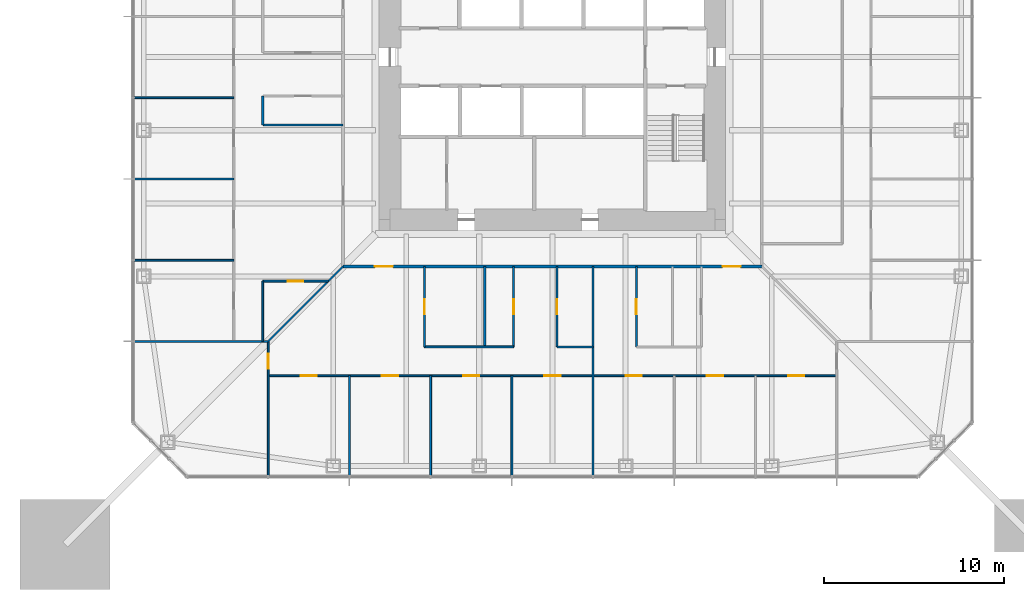
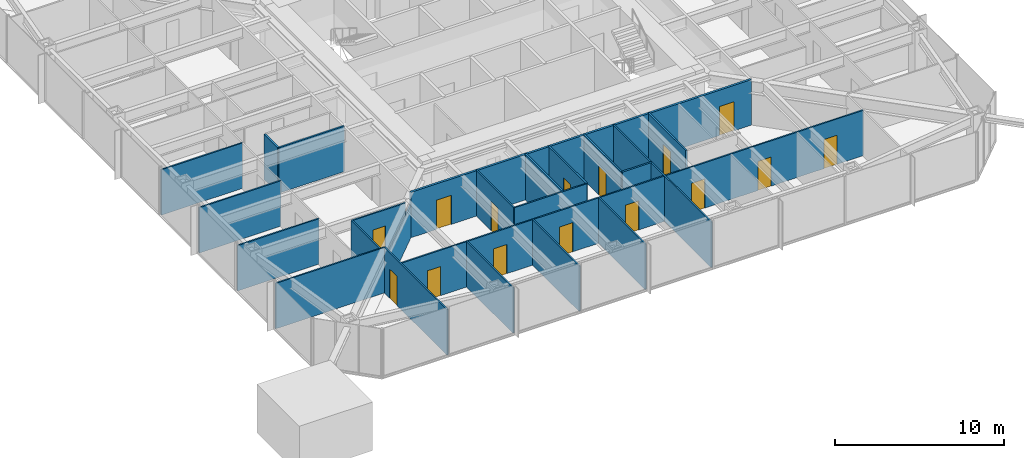
# One storey, part 14 of 26: 23 walls, 15 doors, 15 openings.
"""IFC4 building model written with IfcOpenShell, lengths in metres."""

from ifc_helpers import new_model, si_unit, direction, frame, frame_2d, origin, place, context, subcontext, project, spatial, rectangle, extrude, material, layer, layer_set, type_object, element, fill, save


model = new_model("IFC4")

# Units and contexts
model_context = context("Model", 3, precision=1e-05, world=origin(), true_north=direction((0.0, 1.0)))
body_context = subcontext(model_context, "Body", "Model", "MODEL_VIEW")
ifc_project = project(units=[si_unit("LENGTHUNIT", "METRE"), si_unit("AREAUNIT", "SQUARE_METRE"), si_unit("VOLUMEUNIT", "CUBIC_METRE"), si_unit("PLANEANGLEUNIT", "RADIAN"), si_unit("MASSUNIT", "GRAM", prefix="KILO")], contexts=[model_context])

# Site, building, storey
site_placement = place(None, origin())
site = spatial("IfcSite", under=ifc_project, at=site_placement, CompositionType="ELEMENT")
building_placement = place(site_placement, origin())
building = spatial("IfcBuilding", under=site, at=building_placement, Name="Iwan Alto Co-Living Towers", CompositionType="ELEMENT")
storey_placement = place(building_placement, frame((0.0, 0.0, 57.0)))
storey = spatial("IfcBuildingStorey", under=building, at=storey_placement, Name="L15", CompositionType="ELEMENT", Elevation=57.0)

# Wall, openings, doors
ifc_material_1 = material(Name="Gypsum board")
ifc_layer_1 = layer(ifc_material_1, 0.02490234375, Name="Board", Category="Finish")
ifc_material_2 = material(Name="Steel ASTM A1003 ST33H cold-formed studs", Category="steel")
ifc_layer_2 = layer(ifc_material_2, 0.10009765625, Name="Studs", Category="Framing")
ifc_layer_3 = layer(ifc_material_1, 0.02490234375, Name="Board", Category="Finish")
ifc_layer_set_1 = layer_set([ifc_layer_1, ifc_layer_2, ifc_layer_3], Name="CORRIDOR WALL 150")
wall_type_1 = type_object("IfcWallType", Name="CORRIDOR WALL 150", PredefinedType="PARTITIONING", material=ifc_layer_set_1)
wall_1_placement = place(storey_placement, frame((-11.60009765625, -11.60009765625, 0.0), z_axis=(0.0, 0.0, 1.0), x_axis=(1.0, 0.0, 0.0)))
wall_1 = element("IfcWall", 1, at=wall_1_placement, inside=storey, type_object=wall_type_1, Name="Partition L15", PredefinedType="PARTITIONING", context=body_context, shape_type="SweptSolid", body=[
    extrude(rectangle(XDim=23.2001953125, YDim=0.14990234375, at=frame_2d((11.60009765625, 0.0))), origin(), (0.0, 0.0, 1.0), 3.27001953125),
])
opening_1_placement = place(wall_1_placement, frame((1.7548828125, 0.0, 0.0)))
opening_1 = element("IfcOpeningElement", 2, at=opening_1_placement, cuts=wall_1, Name="Opening D3", PredefinedType="OPENING", context=body_context, shape_type="SweptSolid", body=[
    extrude(rectangle(XDim=1.0, YDim=2.10009765625, at=frame_2d((0.5, 1.050048828125))), frame((0.0, 0.0849609375, 0.0), z_axis=(0.0, -1.0, 0.0), x_axis=(1.0, 0.0, 0.0)), (0.0, 0.0, 1.0), 0.169921875),
])
opening_2_placement = place(wall_1_placement, frame((21.02490234375, 0.0, 0.0)))
opening_2 = element("IfcOpeningElement", 3, at=opening_2_placement, cuts=wall_1, Name="Opening D3", PredefinedType="OPENING", context=body_context, shape_type="SweptSolid", body=[
    extrude(rectangle(XDim=1.0, YDim=2.10009765625, at=frame_2d((0.5, 1.050048828125))), frame((0.0, 0.0849609375, 0.0), z_axis=(0.0, -1.0, 0.0), x_axis=(1.0, 0.0, 0.0)), (0.0, 0.0, 1.0), 0.169921875),
])
ifc_material_3 = material(Name="Steel frame with timber leaf", Category="steel")
door_type_1 = type_object("IfcDoorType", Name="FLAT ENTRANCE DOOR FD30S 1000X2100", OperationType="SINGLE_SWING_LEFT", PredefinedType="DOOR", material=ifc_material_3)
door_1_placement = place(opening_1_placement, frame((1.0, 0.0, 0.0), z_axis=(0.0, 0.0, 1.0), x_axis=(-1.0, 0.0, 0.0)))
door_1 = element("IfcDoor", 4, at=door_1_placement, inside=storey, type_object=door_type_1, Name="Cluster lounge door L15", OperationType="SINGLE_SWING_LEFT", OverallHeight=2.10009765625, OverallWidth=1.0, PredefinedType="DOOR", context=body_context, shape_type="SweptSolid", body=[
    extrude(rectangle(XDim=1.0, YDim=2.10009765625, at=frame_2d((0.5, 1.050048828125))), frame((0.0, 0.02490234375, 0.0), z_axis=(0.0, -1.0, 0.0), x_axis=(1.0, 0.0, 0.0)), (0.0, 0.0, 1.0), 0.050048828125),
])
fill(opening_1, door_1)
door_2_placement = place(opening_2_placement, frame((1.0, 0.0, 0.0), z_axis=(0.0, 0.0, 1.0), x_axis=(-1.0, 0.0, 0.0)))
door_2 = element("IfcDoor", 5, at=door_2_placement, inside=storey, type_object=door_type_1, Name="Cluster lounge door L15", OperationType="SINGLE_SWING_RIGHT", OverallHeight=2.10009765625, OverallWidth=1.0, PredefinedType="DOOR", context=body_context, shape_type="SweptSolid", body=[
    extrude(rectangle(XDim=1.0, YDim=2.10009765625, at=frame_2d((0.5, 1.050048828125))), frame((0.0, 0.02490234375, 0.0), z_axis=(0.0, -1.0, 0.0), x_axis=(1.0, 0.0, 0.0)), (0.0, 0.0, 1.0), 0.050048828125),
])
fill(opening_2, door_2)

ifc_layer_4 = layer(ifc_material_1, 0.012451171875, Name="Board", Category="Finish")
ifc_layer_5 = layer(ifc_material_2, 0.074951171875, Name="Studs", Category="Framing")
ifc_layer_6 = layer(ifc_material_1, 0.012451171875, Name="Board", Category="Finish")
ifc_layer_set_2 = layer_set([ifc_layer_4, ifc_layer_5, ifc_layer_6], Name="PARTITION 100")
wall_type_2 = type_object("IfcWallType", Name="PARTITION 100", PredefinedType="PARTITIONING", material=ifc_layer_set_2)
wall_2_placement = place(storey_placement, frame((-15.75, -17.64990234375, 0.0), z_axis=(0.0, 0.0, 1.0), x_axis=(1.0, 0.0, 0.0)))
wall_2 = element("IfcWall", 6, at=wall_2_placement, inside=storey, type_object=wall_type_2, Name="Partition L15", PredefinedType="PARTITIONING", context=body_context, shape_type="SweptSolid", body=[
    extrude(rectangle(XDim=31.5, YDim=0.10009765625, at=frame_2d((15.75, 0.0))), origin(), (0.0, 0.0, 1.0), 3.27001953125),
])
opening_3_placement = place(wall_2_placement, frame((1.800048828125, 0.0, 0.0)))
opening_3 = element("IfcOpeningElement", 7, at=opening_3_placement, cuts=wall_2, Name="Opening D1", PredefinedType="OPENING", context=body_context, shape_type="SweptSolid", body=[
    extrude(rectangle(XDim=0.89990234375, YDim=2.10009765625, at=frame_2d((0.449951171875, 1.050048828125))), frame((0.0, 0.06005859375, 0.0), z_axis=(0.0, -1.0, 0.0), x_axis=(1.0, 0.0, 0.0)), (0.0, 0.0, 1.0), 0.1201171875),
])
opening_4_placement = place(wall_2_placement, frame((6.300048828125, 0.0, 0.0)))
opening_4 = element("IfcOpeningElement", 8, at=opening_4_placement, cuts=wall_2, Name="Opening D1", PredefinedType="OPENING", context=body_context, shape_type="SweptSolid", body=[
    extrude(rectangle(XDim=0.89990234375, YDim=2.10009765625, at=frame_2d((0.449951171875, 1.050048828125))), frame((0.0, 0.06005859375, 0.0), z_axis=(0.0, -1.0, 0.0), x_axis=(1.0, 0.0, 0.0)), (0.0, 0.0, 1.0), 0.1201171875),
])
opening_5_placement = place(wall_2_placement, frame((10.800048828125, 0.0, 0.0)))
opening_5 = element("IfcOpeningElement", 9, at=opening_5_placement, cuts=wall_2, Name="Opening D1", PredefinedType="OPENING", context=body_context, shape_type="SweptSolid", body=[
    extrude(rectangle(XDim=0.89990234375, YDim=2.10009765625, at=frame_2d((0.449951171875, 1.050048828125))), frame((0.0, 0.06005859375, 0.0), z_axis=(0.0, -1.0, 0.0), x_axis=(1.0, 0.0, 0.0)), (0.0, 0.0, 1.0), 0.1201171875),
])
opening_6_placement = place(wall_2_placement, frame((15.300048828125, 0.0, 0.0)))
opening_6 = element("IfcOpeningElement", 10, at=opening_6_placement, cuts=wall_2, Name="Opening D1", PredefinedType="OPENING", context=body_context, shape_type="SweptSolid", body=[
    extrude(rectangle(XDim=0.89990234375, YDim=2.10009765625, at=frame_2d((0.449951171875, 1.050048828125))), frame((0.0, 0.06005859375, 0.0), z_axis=(0.0, -1.0, 0.0), x_axis=(1.0, 0.0, 0.0)), (0.0, 0.0, 1.0), 0.1201171875),
])
opening_7_placement = place(wall_2_placement, frame((19.800048828125, 0.0, 0.0)))
opening_7 = element("IfcOpeningElement", 11, at=opening_7_placement, cuts=wall_2, Name="Opening D1", PredefinedType="OPENING", context=body_context, shape_type="SweptSolid", body=[
    extrude(rectangle(XDim=0.89990234375, YDim=2.10009765625, at=frame_2d((0.449951171875, 1.050048828125))), frame((0.0, 0.06005859375, 0.0), z_axis=(0.0, -1.0, 0.0), x_axis=(1.0, 0.0, 0.0)), (0.0, 0.0, 1.0), 0.1201171875),
])
opening_8_placement = place(wall_2_placement, frame((24.300048828125, 0.0, 0.0)))
opening_8 = element("IfcOpeningElement", 12, at=opening_8_placement, cuts=wall_2, Name="Opening D1", PredefinedType="OPENING", context=body_context, shape_type="SweptSolid", body=[
    extrude(rectangle(XDim=0.89990234375, YDim=2.10009765625, at=frame_2d((0.449951171875, 1.050048828125))), frame((0.0, 0.06005859375, 0.0), z_axis=(0.0, -1.0, 0.0), x_axis=(1.0, 0.0, 0.0)), (0.0, 0.0, 1.0), 0.1201171875),
])
opening_9_placement = place(wall_2_placement, frame((28.800048828125, 0.0, 0.0)))
opening_9 = element("IfcOpeningElement", 13, at=opening_9_placement, cuts=wall_2, Name="Opening D1", PredefinedType="OPENING", context=body_context, shape_type="SweptSolid", body=[
    extrude(rectangle(XDim=0.89990234375, YDim=2.10009765625, at=frame_2d((0.449951171875, 1.050048828125))), frame((0.0, 0.06005859375, 0.0), z_axis=(0.0, -1.0, 0.0), x_axis=(1.0, 0.0, 0.0)), (0.0, 0.0, 1.0), 0.1201171875),
])
ifc_material_4 = material(Name="Timber leaf in steel frame", Category="steel")
door_type_2 = type_object("IfcDoorType", Name="BEDROOM DOOR 900X2100", OperationType="SINGLE_SWING_LEFT", PredefinedType="DOOR", material=ifc_material_4)
door_3_placement = place(opening_3_placement, origin())
door_3 = element("IfcDoor", 14, at=door_3_placement, inside=storey, type_object=door_type_2, Name="Study bedroom door L15", OperationType="SINGLE_SWING_LEFT", OverallHeight=2.10009765625, OverallWidth=0.89990234375, PredefinedType="DOOR", context=body_context, shape_type="SweptSolid", body=[
    extrude(rectangle(XDim=0.89990234375, YDim=2.10009765625, at=frame_2d((0.449951171875, 1.050048828125))), frame((0.0, 0.02490234375, 0.0), z_axis=(0.0, -1.0, 0.0), x_axis=(1.0, 0.0, 0.0)), (0.0, 0.0, 1.0), 0.050048828125),
])
fill(opening_3, door_3)
door_4_placement = place(opening_4_placement, origin())
door_4 = element("IfcDoor", 15, at=door_4_placement, inside=storey, type_object=door_type_2, Name="Study bedroom door L15", OperationType="SINGLE_SWING_LEFT", OverallHeight=2.10009765625, OverallWidth=0.89990234375, PredefinedType="DOOR", context=body_context, shape_type="SweptSolid", body=[
    extrude(rectangle(XDim=0.89990234375, YDim=2.10009765625, at=frame_2d((0.449951171875, 1.050048828125))), frame((0.0, 0.02490234375, 0.0), z_axis=(0.0, -1.0, 0.0), x_axis=(1.0, 0.0, 0.0)), (0.0, 0.0, 1.0), 0.050048828125),
])
fill(opening_4, door_4)
door_5_placement = place(opening_5_placement, origin())
door_5 = element("IfcDoor", 16, at=door_5_placement, inside=storey, type_object=door_type_2, Name="Study bedroom door L15", OperationType="SINGLE_SWING_RIGHT", OverallHeight=2.10009765625, OverallWidth=0.89990234375, PredefinedType="DOOR", context=body_context, shape_type="SweptSolid", body=[
    extrude(rectangle(XDim=0.89990234375, YDim=2.10009765625, at=frame_2d((0.449951171875, 1.050048828125))), frame((0.0, 0.02490234375, 0.0), z_axis=(0.0, -1.0, 0.0), x_axis=(1.0, 0.0, 0.0)), (0.0, 0.0, 1.0), 0.050048828125),
])
fill(opening_5, door_5)
door_6_placement = place(opening_6_placement, origin())
door_6 = element("IfcDoor", 17, at=door_6_placement, inside=storey, type_object=door_type_2, Name="Study bedroom door L15", OperationType="SINGLE_SWING_RIGHT", OverallHeight=2.10009765625, OverallWidth=0.89990234375, PredefinedType="DOOR", context=body_context, shape_type="SweptSolid", body=[
    extrude(rectangle(XDim=0.89990234375, YDim=2.10009765625, at=frame_2d((0.449951171875, 1.050048828125))), frame((0.0, 0.02490234375, 0.0), z_axis=(0.0, -1.0, 0.0), x_axis=(1.0, 0.0, 0.0)), (0.0, 0.0, 1.0), 0.050048828125),
])
fill(opening_6, door_6)
door_7_placement = place(opening_7_placement, origin())
door_7 = element("IfcDoor", 18, at=door_7_placement, inside=storey, type_object=door_type_2, Name="Study bedroom door L15", OperationType="SINGLE_SWING_LEFT", OverallHeight=2.10009765625, OverallWidth=0.89990234375, PredefinedType="DOOR", context=body_context, shape_type="SweptSolid", body=[
    extrude(rectangle(XDim=0.89990234375, YDim=2.10009765625, at=frame_2d((0.449951171875, 1.050048828125))), frame((0.0, 0.02490234375, 0.0), z_axis=(0.0, -1.0, 0.0), x_axis=(1.0, 0.0, 0.0)), (0.0, 0.0, 1.0), 0.050048828125),
])
fill(opening_7, door_7)
door_8_placement = place(opening_8_placement, origin())
door_8 = element("IfcDoor", 19, at=door_8_placement, inside=storey, type_object=door_type_2, Name="Study bedroom door L15", OperationType="SINGLE_SWING_LEFT", OverallHeight=2.10009765625, OverallWidth=0.89990234375, PredefinedType="DOOR", context=body_context, shape_type="SweptSolid", body=[
    extrude(rectangle(XDim=0.89990234375, YDim=2.10009765625, at=frame_2d((0.449951171875, 1.050048828125))), frame((0.0, 0.02490234375, 0.0), z_axis=(0.0, -1.0, 0.0), x_axis=(1.0, 0.0, 0.0)), (0.0, 0.0, 1.0), 0.050048828125),
])
fill(opening_8, door_8)
door_9_placement = place(opening_9_placement, origin())
door_9 = element("IfcDoor", 20, at=door_9_placement, inside=storey, type_object=door_type_2, Name="Study bedroom door L15", OperationType="SINGLE_SWING_RIGHT", OverallHeight=2.10009765625, OverallWidth=0.89990234375, PredefinedType="DOOR", context=body_context, shape_type="SweptSolid", body=[
    extrude(rectangle(XDim=0.89990234375, YDim=2.10009765625, at=frame_2d((0.449951171875, 1.050048828125))), frame((0.0, 0.02490234375, 0.0), z_axis=(0.0, -1.0, 0.0), x_axis=(1.0, 0.0, 0.0)), (0.0, 0.0, 1.0), 0.050048828125),
])
fill(opening_9, door_9)

# Walls
wall_3_placement = place(storey_placement, frame((-7.090087890625, -16.050048828125, 0.0), z_axis=(0.0, 0.0, 1.0), x_axis=(1.0, 0.0, 0.0)))
element("IfcWall", 21, at=wall_3_placement, inside=storey, type_object=wall_type_2, Name="Partition L15", PredefinedType="PARTITIONING", context=body_context, shape_type="SweptSolid", body=[
    extrude(rectangle(XDim=4.940185546875, YDim=0.10009765625, at=frame_2d((2.47021484375, 0.0))), origin(), (0.0, 0.0, 1.0), 3.27001953125),
])
wall_4_placement = place(storey_placement, frame((-23.18994140625, -15.75, 0.0), z_axis=(0.0, 0.0, 1.0), x_axis=(1.0, 0.0, 0.0)))
element("IfcWall", 22, at=wall_4_placement, inside=storey, type_object=wall_type_2, Name="Partition L15", PredefinedType="PARTITIONING", context=body_context, shape_type="SweptSolid", body=[
    extrude(rectangle(XDim=7.43994140625, YDim=0.10009765625, at=frame_2d((3.719970703125, 0.0))), origin(), (0.0, 0.0, 1.0), 3.27001953125),
])

# Wall, opening, door
wall_5_placement = place(storey_placement, frame((-16.050048828125, -12.409912109375, 0.0), z_axis=(0.0, 0.0, 1.0), x_axis=(1.0, 0.0, 0.0)))
wall_5 = element("IfcWall", 23, at=wall_5_placement, inside=storey, type_object=wall_type_2, Name="Partition L15", PredefinedType="PARTITIONING", context=body_context, shape_type="SweptSolid", body=[
    extrude(rectangle(XDim=3.64013671875, YDim=0.10009765625, at=frame_2d((1.820068359375, 0.0))), origin(), (0.0, 0.0, 1.0), 3.27001953125),
])
opening_10_placement = place(wall_5_placement, frame((1.39501953125, 0.0, 0.0)))
opening_10 = element("IfcOpeningElement", 24, at=opening_10_placement, cuts=wall_5, Name="Opening D2", PredefinedType="OPENING", context=body_context, shape_type="SweptSolid", body=[
    extrude(rectangle(XDim=0.85009765625, YDim=2.10009765625, at=frame_2d((0.425048828125, 1.050048828125))), frame((0.0, 0.06005859375, 0.0), z_axis=(0.0, -1.0, 0.0), x_axis=(1.0, 0.0, 0.0)), (0.0, 0.0, 1.0), 0.1201171875),
])
ifc_material_5 = material(Name="Timber leaf in steel frame", Category="steel")
door_type_3 = type_object("IfcDoorType", Name="ROOM DOOR 850X2100", OperationType="SINGLE_SWING_LEFT", PredefinedType="DOOR", material=ifc_material_5)
door_10_placement = place(opening_10_placement, origin())
door_10 = element("IfcDoor", 25, at=door_10_placement, inside=storey, type_object=door_type_3, Name="Study room door L15", OperationType="SINGLE_SWING_RIGHT", OverallHeight=2.10009765625, OverallWidth=0.85009765625, PredefinedType="DOOR", context=body_context, shape_type="SweptSolid", body=[
    extrude(rectangle(XDim=0.85009765625, YDim=2.10009765625, at=frame_2d((0.425048828125, 1.050048828125))), frame((0.0, 0.02490234375, 0.0), z_axis=(0.0, -1.0, 0.0), x_axis=(1.0, 0.0, 0.0)), (0.0, 0.0, 1.0), 0.050048828125),
])
fill(opening_10, door_10)

# Walls
for number, where, z_axis, x_axis, name in (
    (26, (-23.18994140625, -11.25, 0.0), (0.0, 0.0, 1.0), (1.0, 0.0, 0.0), "Partition L15"),
    (27, (-23.18994140625, -6.75, 0.0), (0.0, 0.0, 1.0), (1.0, 0.0, 0.0), "Partition L15"),
    (28, (-23.18994140625, -2.25, 0.0), (0.0, 0.0, 1.0), (1.0, 0.0, 0.0), "Partition L15"),
):
    element("IfcWall", number, at=place(storey_placement, frame(where, z_axis=z_axis, x_axis=x_axis)), inside=storey, type_object=wall_type_2, Name=name, PredefinedType="PARTITIONING", context=body_context, shape_type="SweptSolid", body=[
        extrude(rectangle(XDim=5.5400390625, YDim=0.10009765625, at=frame_2d((2.77001953125, 0.0))), origin(), (0.0, 0.0, 1.0), 3.27001953125),
    ])
wall_6_placement = place(storey_placement, frame((-15.75, -15.75, 0.0), z_axis=(0.0, 0.0, 1.0), x_axis=(0.707106781187, 0.707106781187, 0.0)))
element("IfcWall", 29, at=wall_6_placement, inside=storey, type_object=wall_type_2, Name="Partition L15", PredefinedType="PARTITIONING", context=body_context, shape_type="SweptSolid", body=[
    extrude(rectangle(XDim=5.868896484375, YDim=0.10009765625, at=frame_2d((2.9345703125, 0.0))), origin(), (0.0, 0.0, 1.0), 2.343017578125),
])
wall_7_placement = place(storey_placement, frame((2.25, -23.18994140625, 0.0), z_axis=(0.0, 0.0, 1.0), x_axis=(0.0, 1.0, 0.0)))
element("IfcWall", 30, at=wall_7_placement, inside=storey, type_object=wall_type_2, Name="Partition L15", PredefinedType="PARTITIONING", context=body_context, shape_type="SweptSolid", body=[
    extrude(rectangle(XDim=11.58984375, YDim=0.10009765625, at=frame_2d((5.794921875, 0.0))), origin(), (0.0, 0.0, 1.0), 3.27001953125),
])
for number, where, z_axis, x_axis, name in (
    (31, (-2.25, -23.18994140625, 0.0), (0.0, 0.0, 1.0), (0.0, 1.0, 0.0), "Partition L15"),
    (32, (-6.75, -23.18994140625, 0.0), (0.0, 0.0, 1.0), (0.0, 1.0, 0.0), "Partition L15"),
):
    element("IfcWall", number, at=place(storey_placement, frame(where, z_axis=z_axis, x_axis=x_axis)), inside=storey, type_object=wall_type_2, Name=name, PredefinedType="PARTITIONING", context=body_context, shape_type="SweptSolid", body=[
        extrude(rectangle(XDim=5.5400390625, YDim=0.10009765625, at=frame_2d((2.77001953125, 0.0))), origin(), (0.0, 0.0, 1.0), 3.27001953125),
    ])

# Wall, opening, door
wall_8_placement = place(storey_placement, frame((-7.090087890625, -16.050048828125, 0.0), z_axis=(0.0, 0.0, 1.0), x_axis=(0.0, 1.0, 0.0)))
wall_8 = element("IfcWall", 33, at=wall_8_placement, inside=storey, type_object=wall_type_2, Name="Partition L15", PredefinedType="PARTITIONING", context=body_context, shape_type="SweptSolid", body=[
    extrude(rectangle(XDim=4.449951171875, YDim=0.10009765625, at=frame_2d((2.22509765625, 0.0))), origin(), (0.0, 0.0, 1.0), 3.27001953125),
])
opening_11_placement = place(wall_8_placement, frame((1.800048828125, 0.0, 0.0)))
opening_11 = element("IfcOpeningElement", 34, at=opening_11_placement, cuts=wall_8, Name="Opening D2", PredefinedType="OPENING", context=body_context, shape_type="SweptSolid", body=[
    extrude(rectangle(XDim=0.85009765625, YDim=2.10009765625, at=frame_2d((0.425048828125, 1.050048828125))), frame((0.0, 0.06005859375, 0.0), z_axis=(0.0, -1.0, 0.0), x_axis=(1.0, 0.0, 0.0)), (0.0, 0.0, 1.0), 0.1201171875),
])
door_11_placement = place(opening_11_placement, origin())
door_11 = element("IfcDoor", 35, at=door_11_placement, inside=storey, type_object=door_type_3, Name="Study room door L15", OperationType="SINGLE_SWING_RIGHT", OverallHeight=2.10009765625, OverallWidth=0.85009765625, PredefinedType="DOOR", context=body_context, shape_type="SweptSolid", body=[
    extrude(rectangle(XDim=0.85009765625, YDim=2.10009765625, at=frame_2d((0.425048828125, 1.050048828125))), frame((0.0, 0.02490234375, 0.0), z_axis=(0.0, -1.0, 0.0), x_axis=(1.0, 0.0, 0.0)), (0.0, 0.0, 1.0), 0.050048828125),
])
fill(opening_11, door_11)

# Wall
wall_9_placement = place(storey_placement, frame((-11.25, -23.18994140625, 0.0), z_axis=(0.0, 0.0, 1.0), x_axis=(0.0, 1.0, 0.0)))
element("IfcWall", 36, at=wall_9_placement, inside=storey, type_object=wall_type_2, Name="Partition L15", PredefinedType="PARTITIONING", context=body_context, shape_type="SweptSolid", body=[
    extrude(rectangle(XDim=5.5400390625, YDim=0.10009765625, at=frame_2d((2.77001953125, 0.0))), origin(), (0.0, 0.0, 1.0), 3.27001953125),
])

# Wall, opening, door
wall_10_placement = place(storey_placement, frame((-15.75, -23.18994140625, 0.0), z_axis=(0.0, 0.0, 1.0), x_axis=(0.0, 1.0, 0.0)))
wall_10 = element("IfcWall", 37, at=wall_10_placement, inside=storey, type_object=wall_type_2, Name="Partition L15", PredefinedType="PARTITIONING", context=body_context, shape_type="SweptSolid", body=[
    extrude(rectangle(XDim=7.43994140625, YDim=0.10009765625, at=frame_2d((3.719970703125, 0.0))), origin(), (0.0, 0.0, 1.0), 3.27001953125),
])
opening_12_placement = place(wall_10_placement, frame((5.9150390625, 0.0, 0.0)))
opening_12 = element("IfcOpeningElement", 38, at=opening_12_placement, cuts=wall_10, Name="Opening D2", PredefinedType="OPENING", context=body_context, shape_type="SweptSolid", body=[
    extrude(rectangle(XDim=0.85009765625, YDim=2.10009765625, at=frame_2d((0.425048828125, 1.050048828125))), frame((0.0, 0.06005859375, 0.0), z_axis=(0.0, -1.0, 0.0), x_axis=(1.0, 0.0, 0.0)), (0.0, 0.0, 1.0), 0.1201171875),
])
door_12_placement = place(opening_12_placement, frame((0.85009765625, 0.0, 0.0), z_axis=(0.0, 0.0, 1.0), x_axis=(-1.0, 0.0, 0.0)))
door_12 = element("IfcDoor", 39, at=door_12_placement, inside=storey, type_object=door_type_3, Name="Shared kitchen and dining room door L15", OperationType="SINGLE_SWING_RIGHT", OverallHeight=2.10009765625, OverallWidth=0.85009765625, PredefinedType="DOOR", context=body_context, shape_type="SweptSolid", body=[
    extrude(rectangle(XDim=0.85009765625, YDim=2.10009765625, at=frame_2d((0.425048828125, 1.050048828125))), frame((0.0, 0.02490234375, 0.0), z_axis=(0.0, -1.0, 0.0), x_axis=(1.0, 0.0, 0.0)), (0.0, 0.0, 1.0), 0.050048828125),
])
fill(opening_12, door_12)

# Walls
wall_11_placement = place(storey_placement, frame((-16.050048828125, -15.75, 0.0), z_axis=(0.0, 0.0, 1.0), x_axis=(0.0, 1.0, 0.0)))
element("IfcWall", 40, at=wall_11_placement, inside=storey, type_object=wall_type_2, Name="Partition L15", PredefinedType="PARTITIONING", context=body_context, shape_type="SweptSolid", body=[
    extrude(rectangle(XDim=3.340087890625, YDim=0.10009765625, at=frame_2d((1.669921875, 0.0))), origin(), (0.0, 0.0, 1.0), 3.27001953125),
])
ifc_material_6 = material(Name="Cement board")
ifc_layer_7 = layer(ifc_material_6, 0.012451171875, Name="Board", Category="Finish")
ifc_layer_8 = layer(ifc_material_2, 0.094970703125, Name="Studs", Category="Framing")
ifc_layer_9 = layer(ifc_material_6, 0.012451171875, Name="Board", Category="Finish")
ifc_layer_set_3 = layer_set([ifc_layer_7, ifc_layer_8, ifc_layer_9], Name="WET AREA PARTITION 120")
wall_type_3 = type_object("IfcWallType", Name="WET AREA PARTITION 120", PredefinedType="PARTITIONING", material=ifc_layer_set_3)
wall_12_placement = place(storey_placement, frame((0.25, -16.050048828125, 0.0), z_axis=(0.0, 0.0, 1.0), x_axis=(1.0, 0.0, 0.0)))
element("IfcWall", 41, at=wall_12_placement, inside=storey, type_object=wall_type_3, Name="Partition L15", PredefinedType="PARTITIONING", context=body_context, shape_type="SweptSolid", body=[
    extrude(rectangle(XDim=2.0, YDim=0.1201171875, at=frame_2d((1.0, 0.0))), origin(), (0.0, 0.0, 1.0), 3.27001953125),
])
wall_13_placement = place(storey_placement, frame((-16.050048828125, -3.75, 0.0), z_axis=(0.0, 0.0, 1.0), x_axis=(1.0, 0.0, 0.0)))
element("IfcWall", 42, at=wall_13_placement, inside=storey, type_object=wall_type_3, Name="Partition L15", PredefinedType="PARTITIONING", context=body_context, shape_type="SweptSolid", body=[
    extrude(rectangle(XDim=4.449951171875, YDim=0.1201171875, at=frame_2d((2.22509765625, 0.0))), origin(), (0.0, 0.0, 1.0), 3.27001953125),
])

# Wall, opening, door
wall_14_placement = place(storey_placement, frame((4.64990234375, -16.050048828125, 0.0), z_axis=(0.0, 0.0, 1.0), x_axis=(0.0, 1.0, 0.0)))
wall_14 = element("IfcWall", 43, at=wall_14_placement, inside=storey, type_object=wall_type_3, Name="Partition L15", PredefinedType="PARTITIONING", context=body_context, shape_type="SweptSolid", body=[
    extrude(rectangle(XDim=4.449951171875, YDim=0.1201171875, at=frame_2d((2.22509765625, 0.0))), origin(), (0.0, 0.0, 1.0), 3.27001953125),
])
opening_13_placement = place(wall_14_placement, frame((1.800048828125, 0.0, 0.0)))
opening_13 = element("IfcOpeningElement", 44, at=opening_13_placement, cuts=wall_14, Name="Opening D2", PredefinedType="OPENING", context=body_context, shape_type="SweptSolid", body=[
    extrude(rectangle(XDim=0.85009765625, YDim=2.10009765625, at=frame_2d((0.425048828125, 1.050048828125))), frame((0.0, 0.070068359375, 0.0), z_axis=(0.0, -1.0, 0.0), x_axis=(1.0, 0.0, 0.0)), (0.0, 0.0, 1.0), 0.14013671875),
])
door_13_placement = place(opening_13_placement, origin())
door_13 = element("IfcDoor", 45, at=door_13_placement, inside=storey, type_object=door_type_3, Name="Laundry door L15", OperationType="SINGLE_SWING_RIGHT", OverallHeight=2.10009765625, OverallWidth=0.85009765625, PredefinedType="DOOR", context=body_context, shape_type="SweptSolid", body=[
    extrude(rectangle(XDim=0.85009765625, YDim=2.10009765625, at=frame_2d((0.425048828125, 1.050048828125))), frame((0.0, 0.02490234375, 0.0), z_axis=(0.0, -1.0, 0.0), x_axis=(1.0, 0.0, 0.0)), (0.0, 0.0, 1.0), 0.050048828125),
])
fill(opening_13, door_13)

wall_15_placement = place(storey_placement, frame((0.25, -16.050048828125, 0.0), z_axis=(0.0, 0.0, 1.0), x_axis=(0.0, 1.0, 0.0)))
wall_15 = element("IfcWall", 46, at=wall_15_placement, inside=storey, type_object=wall_type_3, Name="Partition L15", PredefinedType="PARTITIONING", context=body_context, shape_type="SweptSolid", body=[
    extrude(rectangle(XDim=4.449951171875, YDim=0.1201171875, at=frame_2d((2.22509765625, 0.0))), origin(), (0.0, 0.0, 1.0), 3.27001953125),
])
opening_14_placement = place(wall_15_placement, frame((1.800048828125, 0.0, 0.0)))
opening_14 = element("IfcOpeningElement", 47, at=opening_14_placement, cuts=wall_15, Name="Opening D2", PredefinedType="OPENING", context=body_context, shape_type="SweptSolid", body=[
    extrude(rectangle(XDim=0.85009765625, YDim=2.10009765625, at=frame_2d((0.425048828125, 1.050048828125))), frame((0.0, 0.070068359375, 0.0), z_axis=(0.0, -1.0, 0.0), x_axis=(1.0, 0.0, 0.0)), (0.0, 0.0, 1.0), 0.14013671875),
])
door_14_placement = place(opening_14_placement, origin())
door_14 = element("IfcDoor", 48, at=door_14_placement, inside=storey, type_object=door_type_3, Name="Laundry door L15", OperationType="SINGLE_SWING_RIGHT", OverallHeight=2.10009765625, OverallWidth=0.85009765625, PredefinedType="DOOR", context=body_context, shape_type="SweptSolid", body=[
    extrude(rectangle(XDim=0.85009765625, YDim=2.10009765625, at=frame_2d((0.425048828125, 1.050048828125))), frame((0.0, 0.02490234375, 0.0), z_axis=(0.0, -1.0, 0.0), x_axis=(1.0, 0.0, 0.0)), (0.0, 0.0, 1.0), 0.050048828125),
])
fill(opening_14, door_14)

wall_16_placement = place(storey_placement, frame((-2.14990234375, -16.050048828125, 0.0), z_axis=(0.0, 0.0, 1.0), x_axis=(0.0, 1.0, 0.0)))
wall_16 = element("IfcWall", 49, at=wall_16_placement, inside=storey, type_object=wall_type_3, Name="Partition L15", PredefinedType="PARTITIONING", context=body_context, shape_type="SweptSolid", body=[
    extrude(rectangle(XDim=4.449951171875, YDim=0.1201171875, at=frame_2d((2.22509765625, 0.0))), origin(), (0.0, 0.0, 1.0), 3.27001953125),
])
opening_15_placement = place(wall_16_placement, frame((1.800048828125, 0.0, 0.0)))
opening_15 = element("IfcOpeningElement", 50, at=opening_15_placement, cuts=wall_16, Name="Opening D2", PredefinedType="OPENING", context=body_context, shape_type="SweptSolid", body=[
    extrude(rectangle(XDim=0.85009765625, YDim=2.10009765625, at=frame_2d((0.425048828125, 1.050048828125))), frame((0.0, 0.070068359375, 0.0), z_axis=(0.0, -1.0, 0.0), x_axis=(1.0, 0.0, 0.0)), (0.0, 0.0, 1.0), 0.14013671875),
])
door_15_placement = place(opening_15_placement, frame((0.85009765625, 0.0, 0.0), z_axis=(0.0, 0.0, 1.0), x_axis=(-1.0, 0.0, 0.0)))
door_15 = element("IfcDoor", 51, at=door_15_placement, inside=storey, type_object=door_type_3, Name="Accessible bathroom door L15", OperationType="SINGLE_SWING_LEFT", OverallHeight=2.10009765625, OverallWidth=0.85009765625, PredefinedType="DOOR", context=body_context, shape_type="SweptSolid", body=[
    extrude(rectangle(XDim=0.85009765625, YDim=2.10009765625, at=frame_2d((0.425048828125, 1.050048828125))), frame((0.0, 0.02490234375, 0.0), z_axis=(0.0, -1.0, 0.0), x_axis=(1.0, 0.0, 0.0)), (0.0, 0.0, 1.0), 0.050048828125),
])
fill(opening_15, door_15)

# Walls
wall_17_placement = place(storey_placement, frame((-3.75, -16.050048828125, 0.0), z_axis=(0.0, 0.0, 1.0), x_axis=(0.0, 1.0, 0.0)))
element("IfcWall", 52, at=wall_17_placement, inside=storey, type_object=wall_type_3, Name="Partition L15", PredefinedType="PARTITIONING", context=body_context, shape_type="SweptSolid", body=[
    extrude(rectangle(XDim=4.449951171875, YDim=0.1201171875, at=frame_2d((2.22509765625, 0.0))), origin(), (0.0, 0.0, 1.0), 3.27001953125),
])
wall_18_placement = place(storey_placement, frame((-16.050048828125, -3.75, 0.0), z_axis=(0.0, 0.0, 1.0), x_axis=(0.0, 1.0, 0.0)))
element("IfcWall", 53, at=wall_18_placement, inside=storey, type_object=wall_type_3, Name="Partition L15", PredefinedType="PARTITIONING", context=body_context, shape_type="SweptSolid", body=[
    extrude(rectangle(XDim=1.60009765625, YDim=0.1201171875, at=frame_2d((0.800048828125, 0.0))), origin(), (0.0, 0.0, 1.0), 3.27001953125),
])

save(model, "model.ifc")
